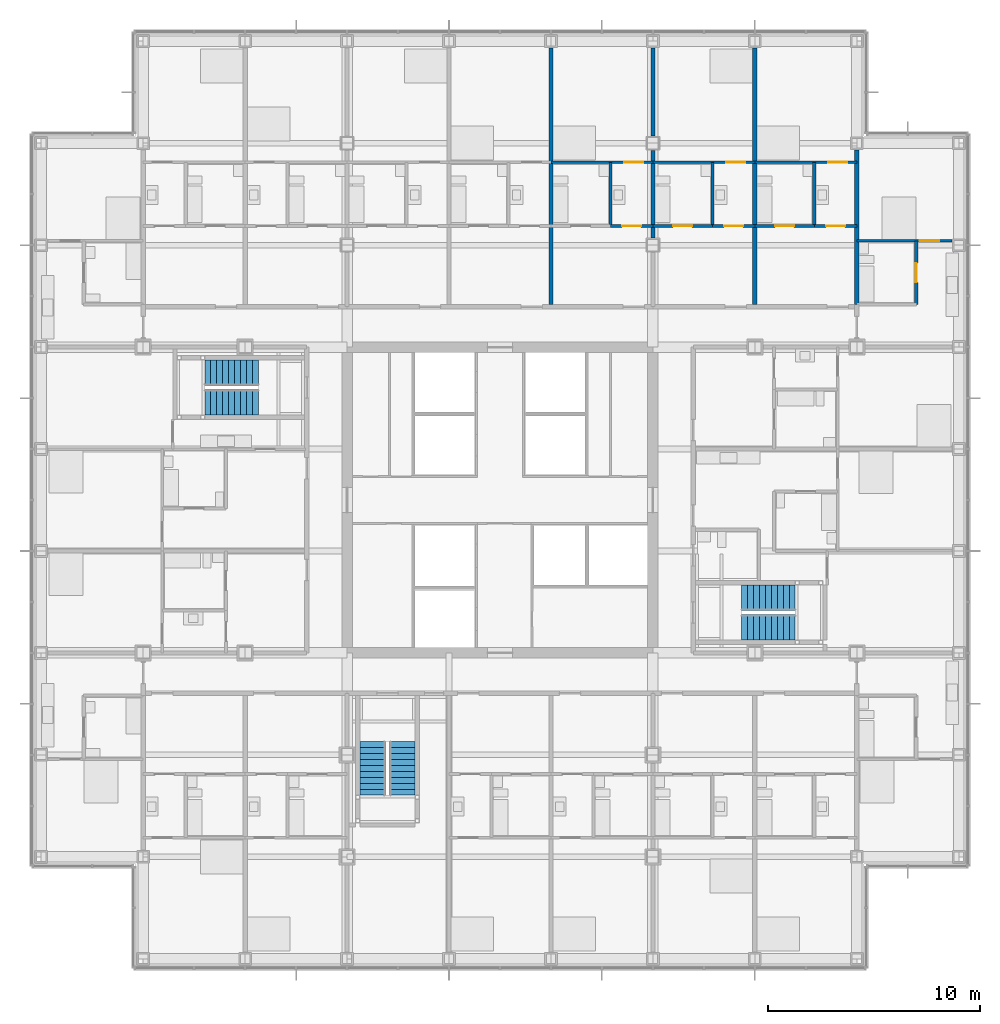
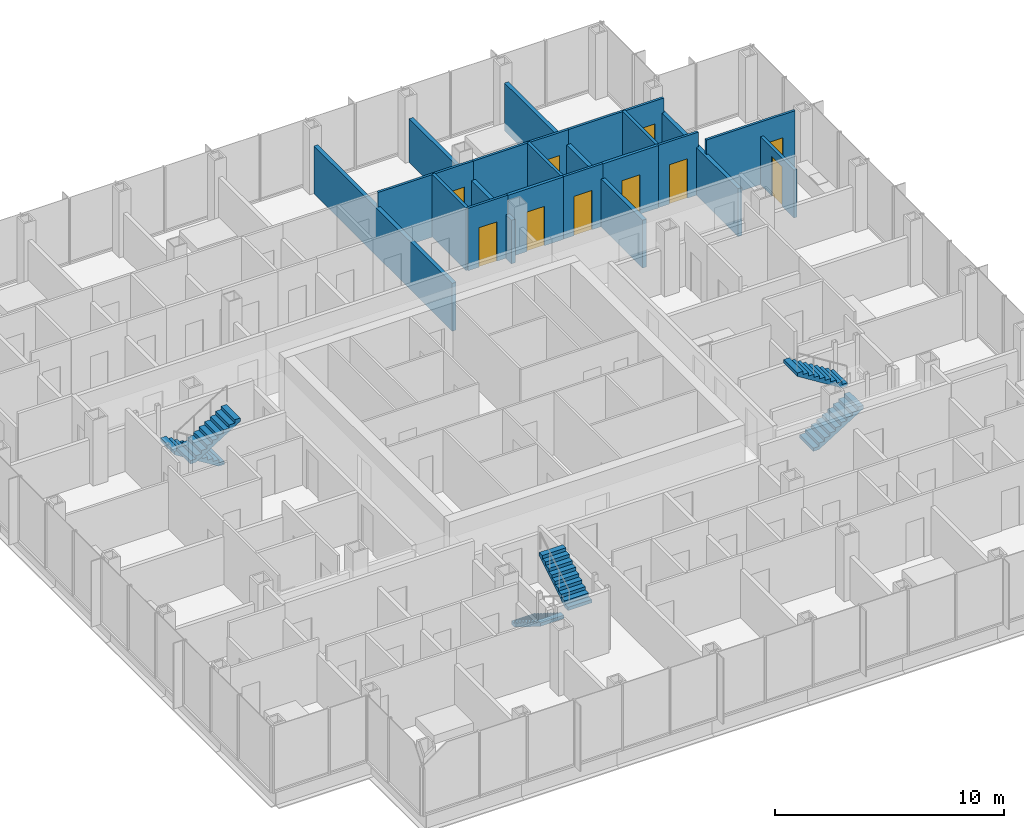
# One storey, part 19 of 22: 18 walls, 10 doors, 6 stair flights, 10 openings, 3 elements without a shape of their own.
"""IFC4 building model written with IfcOpenShell, lengths in metres."""

from ifc_helpers import new_model, si_unit, direction, frame, frame_2d, origin, place, context, subcontext, project, spatial, polyline, rectangle, outline, extrude, material, layer, layer_set, type_object, element, fill, aggregate, save


model = new_model("IFC4")

# Units and contexts
model_context = context("Model", 3, precision=1e-05, world=origin(), true_north=direction((0.0, 1.0)))
body_context = subcontext(model_context, "Body", "Model", "MODEL_VIEW")
ifc_project = project(units=[si_unit("LENGTHUNIT", "METRE"), si_unit("AREAUNIT", "SQUARE_METRE"), si_unit("VOLUMEUNIT", "CUBIC_METRE"), si_unit("PLANEANGLEUNIT", "RADIAN"), si_unit("MASSUNIT", "GRAM", prefix="KILO")], contexts=[model_context])

# Site, building, storey
site_placement = place(None, origin())
site = spatial("IfcSite", under=ifc_project, at=site_placement, CompositionType="ELEMENT")
building_placement = place(site_placement, origin())
building = spatial("IfcBuilding", under=site, at=building_placement, Name="Kvirike Care Tower", CompositionType="ELEMENT")
storey_placement = place(building_placement, frame((0.0, 0.0, 72.5)))
storey = spatial("IfcBuildingStorey", under=building, at=storey_placement, Name="L19", CompositionType="ELEMENT", Elevation=72.5)

# Wall
ifc_material_1 = material(Name="Moisture-resistant board partition", Category="gypsum")
ifc_layer_1 = layer(ifc_material_1, 0.14990234375)
ifc_layer_set_1 = layer_set([ifc_layer_1], Name="BATHROOM WALL 150")
wall_type_1 = type_object("IfcWallType", Name="BATHROOM WALL 150", PredefinedType="PARTITIONING", material=ifc_layer_set_1)
wall_1_placement = place(storey_placement, frame((26.800048828125, 51.89990234375, 0.0), z_axis=(0.0, 0.0, 1.0), x_axis=(0.0, -1.0, 0.0)))
element("IfcWall", 1, at=wall_1_placement, inside=storey, type_object=wall_type_1, Name="Bathroom Wall 150 L19", PredefinedType="PARTITIONING", context=body_context, shape_type="SweptSolid", body=[
    extrude(rectangle(XDim=3.0, YDim=0.14990234375, at=frame_2d((1.5, 0.0))), origin(), (0.0, 0.0, 1.0), 3.330078125),
])

# Wall, opening, door
wall_2_placement = place(storey_placement, frame((41.199951171875, 48.199951171875, 0.0), z_axis=(0.0, 0.0, 1.0), x_axis=(0.0, -1.0, 0.0)))
wall_2 = element("IfcWall", 2, at=wall_2_placement, inside=storey, type_object=wall_type_1, Name="Bathroom Wall 150 L19", PredefinedType="PARTITIONING", context=body_context, shape_type="SweptSolid", body=[
    extrude(rectangle(XDim=3.0, YDim=0.14990234375, at=frame_2d((1.5, 0.0))), origin(), (0.0, 0.0, 1.0), 2.550048828125),
])
opening_1_placement = place(wall_2_placement, frame((1.050048828125, 0.0, 0.0)))
opening_1 = element("IfcOpeningElement", 3, at=opening_1_placement, cuts=wall_2, Name="Opening 19-076", PredefinedType="OPENING", context=body_context, shape_type="SweptSolid", body=[
    extrude(rectangle(XDim=0.89990234375, YDim=2.10009765625, at=frame_2d((0.449951171875, 1.050048828125))), frame((0.0, 0.08544921875, 0.0), z_axis=(0.0, -1.0, 0.0), x_axis=(1.0, 0.0, 0.0)), (0.0, 0.0, 1.0), 0.1708984375),
])
ifc_material_2 = material(Name="Timber door set", Category="wood")
door_type_1 = type_object("IfcDoorType", Name="BATHROOM DOOR 900", OperationType="SINGLE_SWING_RIGHT", PredefinedType="DOOR", material=ifc_material_2)
door_1_placement = place(opening_1_placement, frame((0.89990234375, 0.0, 0.0), z_axis=(0.0, 0.0, 1.0), x_axis=(-1.0, 0.0, 0.0)))
door_1 = element("IfcDoor", 4, at=door_1_placement, inside=storey, type_object=door_type_1, Name="Bathroom door", OperationType="SINGLE_SWING_RIGHT", OverallHeight=2.10009765625, OverallWidth=0.89990234375, PredefinedType="DOOR", context=body_context, shape_type="SweptSolid", body=[
    extrude(rectangle(XDim=0.89990234375, YDim=2.10009765625, at=frame_2d((0.449951171875, 1.050048828125))), frame((0.0, 0.02197265625, 0.0), z_axis=(0.0, -1.0, 0.0), x_axis=(1.0, 0.0, 0.0)), (0.0, 0.0, 1.0), 0.0439453125),
])
fill(opening_1, door_1)

# Wall
wall_3_placement = place(storey_placement, frame((36.39990234375, 51.89990234375, 0.0), z_axis=(0.0, 0.0, 1.0), x_axis=(0.0, -1.0, 0.0)))
element("IfcWall", 5, at=wall_3_placement, inside=storey, type_object=wall_type_1, Name="Bathroom Wall 150 L19", PredefinedType="PARTITIONING", context=body_context, shape_type="SweptSolid", body=[
    extrude(rectangle(XDim=3.0, YDim=0.14990234375, at=frame_2d((1.5, 0.0))), origin(), (0.0, 0.0, 1.0), 3.330078125),
])

# Wall, opening, door
wall_4_placement = place(storey_placement, frame((36.39990234375, 48.89990234375, 0.0), z_axis=(0.0, 0.0, 1.0), x_axis=(-1.0, 0.0, 0.0)))
wall_4 = element("IfcWall", 6, at=wall_4_placement, inside=storey, type_object=wall_type_1, Name="Bathroom Wall 150 L19", PredefinedType="PARTITIONING", context=body_context, shape_type="SweptSolid", body=[
    extrude(rectangle(XDim=2.7998046875, YDim=0.14990234375, at=frame_2d((1.39990234375, 0.0))), origin(), (0.0, 0.0, 1.0), 3.330078125),
])
opening_2_placement = place(wall_4_placement, frame((0.949951171875, 0.0, 0.0)))
opening_2 = element("IfcOpeningElement", 7, at=opening_2_placement, cuts=wall_4, Name="Opening 19-078", PredefinedType="OPENING", context=body_context, shape_type="SweptSolid", body=[
    extrude(rectangle(XDim=0.89990234375, YDim=2.10009765625, at=frame_2d((0.449951171875, 1.050048828125))), frame((0.0, 0.08544921875, 0.0), z_axis=(0.0, -1.0, 0.0), x_axis=(1.0, 0.0, 0.0)), (0.0, 0.0, 1.0), 0.1708984375),
])
door_2_placement = place(opening_2_placement, frame((0.89990234375, 0.0, 0.0), z_axis=(0.0, 0.0, 1.0), x_axis=(-1.0, 0.0, 0.0)))
door_2 = element("IfcDoor", 8, at=door_2_placement, inside=storey, type_object=door_type_1, Name="Bathroom door", OperationType="SINGLE_SWING_RIGHT", OverallHeight=2.10009765625, OverallWidth=0.89990234375, PredefinedType="DOOR", context=body_context, shape_type="SweptSolid", body=[
    extrude(rectangle(XDim=0.89990234375, YDim=2.10009765625, at=frame_2d((0.449951171875, 1.050048828125))), frame((0.0, 0.02197265625, 0.0), z_axis=(0.0, -1.0, 0.0), x_axis=(1.0, 0.0, 0.0)), (0.0, 0.0, 1.0), 0.0439453125),
])
fill(opening_2, door_2)

# Wall
wall_5_placement = place(storey_placement, frame((31.60009765625, 51.89990234375, 0.0), z_axis=(0.0, 0.0, 1.0), x_axis=(0.0, -1.0, 0.0)))
element("IfcWall", 9, at=wall_5_placement, inside=storey, type_object=wall_type_1, Name="Bathroom Wall 150 L19", PredefinedType="PARTITIONING", context=body_context, shape_type="SweptSolid", body=[
    extrude(rectangle(XDim=3.0, YDim=0.14990234375, at=frame_2d((1.5, 0.0))), origin(), (0.0, 0.0, 1.0), 3.330078125),
])

# Wall, opening, door
wall_6_placement = place(storey_placement, frame((31.60009765625, 48.89990234375, 0.0), z_axis=(0.0, 0.0, 1.0), x_axis=(-1.0, 0.0, 0.0)))
wall_6 = element("IfcWall", 10, at=wall_6_placement, inside=storey, type_object=wall_type_1, Name="Bathroom Wall 150 L19", PredefinedType="PARTITIONING", context=body_context, shape_type="SweptSolid", body=[
    extrude(rectangle(XDim=2.800048828125, YDim=0.14990234375, at=frame_2d((1.39990234375, 0.0))), origin(), (0.0, 0.0, 1.0), 3.330078125),
])
opening_3_placement = place(wall_6_placement, frame((0.949951171875, 0.0, 0.0)))
opening_3 = element("IfcOpeningElement", 11, at=opening_3_placement, cuts=wall_6, Name="Opening 19-081", PredefinedType="OPENING", context=body_context, shape_type="SweptSolid", body=[
    extrude(rectangle(XDim=0.89990234375, YDim=2.10009765625, at=frame_2d((0.449951171875, 1.050048828125))), frame((0.0, 0.08544921875, 0.0), z_axis=(0.0, -1.0, 0.0), x_axis=(1.0, 0.0, 0.0)), (0.0, 0.0, 1.0), 0.1708984375),
])
door_3_placement = place(opening_3_placement, frame((0.89990234375, 0.0, 0.0), z_axis=(0.0, 0.0, 1.0), x_axis=(-1.0, 0.0, 0.0)))
door_3 = element("IfcDoor", 12, at=door_3_placement, inside=storey, type_object=door_type_1, Name="Bathroom door", OperationType="SINGLE_SWING_LEFT", OverallHeight=2.10009765625, OverallWidth=0.89990234375, PredefinedType="DOOR", context=body_context, shape_type="SweptSolid", body=[
    extrude(rectangle(XDim=0.89990234375, YDim=2.10009765625, at=frame_2d((0.449951171875, 1.050048828125))), frame((0.0, 0.02197265625, 0.0), z_axis=(0.0, -1.0, 0.0), x_axis=(1.0, 0.0, 0.0)), (0.0, 0.0, 1.0), 0.0439453125),
])
fill(opening_3, door_3)

ifc_material_3 = material(Name="Plasterboard partition", Category="gypsum")
ifc_layer_2 = layer(ifc_material_3, 0.1201171875)
ifc_layer_set_2 = layer_set([ifc_layer_2], Name="PARTITION 120")
wall_type_2 = type_object("IfcWallType", Name="PARTITION 120", PredefinedType="PARTITIONING", material=ifc_layer_set_2)
wall_7_placement = place(storey_placement, frame((28.800048828125, 48.89990234375, 0.0), z_axis=(0.0, 0.0, 1.0), x_axis=(-1.0, 0.0, 0.0)))
wall_7 = element("IfcWall", 13, at=wall_7_placement, inside=storey, type_object=wall_type_2, Name="Partition 120 L19", PredefinedType="PARTITIONING", context=body_context, shape_type="SweptSolid", body=[
    extrude(rectangle(XDim=2.0, YDim=0.1201171875, at=frame_2d((1.0, 0.0))), origin(), (0.0, 0.0, 1.0), 3.330078125),
])
opening_4_placement = place(wall_7_placement, frame((0.550048828125, 0.0, 0.0)))
opening_4 = element("IfcOpeningElement", 14, at=opening_4_placement, cuts=wall_7, Name="Opening 19-044", PredefinedType="OPENING", context=body_context, shape_type="SweptSolid", body=[
    extrude(rectangle(XDim=0.89990234375, YDim=2.10009765625, at=frame_2d((0.449951171875, 1.050048828125))), frame((0.0, 0.070556640625, 0.0), z_axis=(0.0, -1.0, 0.0), x_axis=(1.0, 0.0, 0.0)), (0.0, 0.0, 1.0), 0.14111328125),
])
ifc_material_4 = material(Name="Timber door set", Category="wood")
door_type_2 = type_object("IfcDoorType", Name="INTERNAL DOOR 900", OperationType="SINGLE_SWING_LEFT", PredefinedType="DOOR", material=ifc_material_4)
door_4_placement = place(opening_4_placement, frame((0.89990234375, 0.0, 0.0), z_axis=(0.0, 0.0, 1.0), x_axis=(-1.0, 0.0, 0.0)))
door_4 = element("IfcDoor", 15, at=door_4_placement, inside=storey, type_object=door_type_2, Name="Kitchen door", OperationType="SINGLE_SWING_RIGHT", OverallHeight=2.10009765625, OverallWidth=0.89990234375, PredefinedType="DOOR", context=body_context, shape_type="SweptSolid", body=[
    extrude(rectangle(XDim=0.89990234375, YDim=2.10009765625, at=frame_2d((0.449951171875, 1.050048828125))), frame((0.0, 0.02197265625, 0.0), z_axis=(0.0, -1.0, 0.0), x_axis=(1.0, 0.0, 0.0)), (0.0, 0.0, 1.0), 0.0439453125),
])
fill(opening_4, door_4)

wall_8_placement = place(storey_placement, frame((28.800048828125, 51.89990234375, 0.0), z_axis=(0.0, 0.0, 1.0), x_axis=(-1.0, 0.0, 0.0)))
wall_8 = element("IfcWall", 16, at=wall_8_placement, inside=storey, type_object=wall_type_2, Name="Partition 120 L19", PredefinedType="PARTITIONING", context=body_context, shape_type="SweptSolid", body=[
    extrude(rectangle(XDim=4.800048828125, YDim=0.1201171875, at=frame_2d((2.39990234375, 0.0))), origin(), (0.0, 0.0, 1.0), 3.330078125),
])
opening_5_placement = place(wall_8_placement, frame((0.449951171875, 0.0, 0.0)))
opening_5 = element("IfcOpeningElement", 17, at=opening_5_placement, cuts=wall_8, Name="Opening 19-045", PredefinedType="OPENING", context=body_context, shape_type="SweptSolid", body=[
    extrude(rectangle(XDim=0.89990234375, YDim=2.10009765625, at=frame_2d((0.449951171875, 1.050048828125))), frame((0.0, 0.070556640625, 0.0), z_axis=(0.0, -1.0, 0.0), x_axis=(1.0, 0.0, 0.0)), (0.0, 0.0, 1.0), 0.14111328125),
])
door_5_placement = place(opening_5_placement, origin())
door_5 = element("IfcDoor", 18, at=door_5_placement, inside=storey, type_object=door_type_2, Name="Studio apartment living room door", OperationType="SINGLE_SWING_RIGHT", OverallHeight=2.10009765625, OverallWidth=0.89990234375, PredefinedType="DOOR", context=body_context, shape_type="SweptSolid", body=[
    extrude(rectangle(XDim=0.89990234375, YDim=2.10009765625, at=frame_2d((0.449951171875, 1.050048828125))), frame((0.0, 0.02197265625, 0.0), z_axis=(0.0, -1.0, 0.0), x_axis=(1.0, 0.0, 0.0)), (0.0, 0.0, 1.0), 0.0439453125),
])
fill(opening_5, door_5)

wall_9_placement = place(storey_placement, frame((42.8798828125, 48.199951171875, 0.0), z_axis=(0.0, 0.0, 1.0), x_axis=(-1.0, 0.0, 0.0)))
wall_9 = element("IfcWall", 19, at=wall_9_placement, inside=storey, type_object=wall_type_2, Name="Partition 120 L19", PredefinedType="PARTITIONING", context=body_context, shape_type="SweptSolid", body=[
    extrude(rectangle(XDim=4.47998046875, YDim=0.1201171875, at=frame_2d((2.239990234375, 0.0))), origin(), (0.0, 0.0, 1.0), 3.330078125),
])
opening_6_placement = place(wall_9_placement, frame((0.60498046875, 0.0, 0.0)))
opening_6 = element("IfcOpeningElement", 20, at=opening_6_placement, cuts=wall_9, Name="Opening 19-077", PredefinedType="OPENING", context=body_context, shape_type="SweptSolid", body=[
    extrude(rectangle(XDim=0.89990234375, YDim=2.10009765625, at=frame_2d((0.449951171875, 1.050048828125))), frame((0.0, 0.070556640625, 0.0), z_axis=(0.0, -1.0, 0.0), x_axis=(1.0, 0.0, 0.0)), (0.0, 0.0, 1.0), 0.14111328125),
])
door_6_placement = place(opening_6_placement, origin())
door_6 = element("IfcDoor", 21, at=door_6_placement, inside=storey, type_object=door_type_2, Name="Studio apartment living room door", OperationType="SINGLE_SWING_LEFT", OverallHeight=2.10009765625, OverallWidth=0.89990234375, PredefinedType="DOOR", context=body_context, shape_type="SweptSolid", body=[
    extrude(rectangle(XDim=0.89990234375, YDim=2.10009765625, at=frame_2d((0.449951171875, 1.050048828125))), frame((0.0, 0.02197265625, 0.0), z_axis=(0.0, -1.0, 0.0), x_axis=(1.0, 0.0, 0.0)), (0.0, 0.0, 1.0), 0.0439453125),
])
fill(opening_6, door_6)

wall_10_placement = place(storey_placement, frame((38.39990234375, 48.89990234375, 0.0), z_axis=(0.0, 0.0, 1.0), x_axis=(-1.0, 0.0, 0.0)))
wall_10 = element("IfcWall", 22, at=wall_10_placement, inside=storey, type_object=wall_type_2, Name="Partition 120 L19", PredefinedType="PARTITIONING", context=body_context, shape_type="SweptSolid", body=[
    extrude(rectangle(XDim=2.0, YDim=0.1201171875, at=frame_2d((1.0, 0.0))), origin(), (0.0, 0.0, 1.0), 3.330078125),
])
opening_7_placement = place(wall_10_placement, frame((0.550048828125, 0.0, 0.0)))
opening_7 = element("IfcOpeningElement", 23, at=opening_7_placement, cuts=wall_10, Name="Opening 19-079", PredefinedType="OPENING", context=body_context, shape_type="SweptSolid", body=[
    extrude(rectangle(XDim=0.89990234375, YDim=2.10009765625, at=frame_2d((0.449951171875, 1.050048828125))), frame((0.0, 0.070556640625, 0.0), z_axis=(0.0, -1.0, 0.0), x_axis=(1.0, 0.0, 0.0)), (0.0, 0.0, 1.0), 0.14111328125),
])
door_7_placement = place(opening_7_placement, frame((0.89990234375, 0.0, 0.0), z_axis=(0.0, 0.0, 1.0), x_axis=(-1.0, 0.0, 0.0)))
door_7 = element("IfcDoor", 24, at=door_7_placement, inside=storey, type_object=door_type_2, Name="Kitchen door", OperationType="SINGLE_SWING_LEFT", OverallHeight=2.10009765625, OverallWidth=0.89990234375, PredefinedType="DOOR", context=body_context, shape_type="SweptSolid", body=[
    extrude(rectangle(XDim=0.89990234375, YDim=2.10009765625, at=frame_2d((0.449951171875, 1.050048828125))), frame((0.0, 0.02197265625, 0.0), z_axis=(0.0, -1.0, 0.0), x_axis=(1.0, 0.0, 0.0)), (0.0, 0.0, 1.0), 0.0439453125),
])
fill(opening_7, door_7)

wall_11_placement = place(storey_placement, frame((38.39990234375, 51.89990234375, 0.0), z_axis=(0.0, 0.0, 1.0), x_axis=(-1.0, 0.0, 0.0)))
wall_11 = element("IfcWall", 25, at=wall_11_placement, inside=storey, type_object=wall_type_2, Name="Partition 120 L19", PredefinedType="PARTITIONING", context=body_context, shape_type="SweptSolid", body=[
    extrude(rectangle(XDim=4.7998046875, YDim=0.1201171875, at=frame_2d((2.39990234375, 0.0))), origin(), (0.0, 0.0, 1.0), 3.330078125),
])
opening_8_placement = place(wall_11_placement, frame((0.449951171875, 0.0, 0.0)))
opening_8 = element("IfcOpeningElement", 26, at=opening_8_placement, cuts=wall_11, Name="Opening 19-080", PredefinedType="OPENING", context=body_context, shape_type="SweptSolid", body=[
    extrude(rectangle(XDim=0.89990234375, YDim=2.10009765625, at=frame_2d((0.449951171875, 1.050048828125))), frame((0.0, 0.070556640625, 0.0), z_axis=(0.0, -1.0, 0.0), x_axis=(1.0, 0.0, 0.0)), (0.0, 0.0, 1.0), 0.14111328125),
])
door_8_placement = place(opening_8_placement, origin())
door_8 = element("IfcDoor", 27, at=door_8_placement, inside=storey, type_object=door_type_2, Name="Studio apartment living room door", OperationType="SINGLE_SWING_RIGHT", OverallHeight=2.10009765625, OverallWidth=0.89990234375, PredefinedType="DOOR", context=body_context, shape_type="SweptSolid", body=[
    extrude(rectangle(XDim=0.89990234375, YDim=2.10009765625, at=frame_2d((0.449951171875, 1.050048828125))), frame((0.0, 0.02197265625, 0.0), z_axis=(0.0, -1.0, 0.0), x_axis=(1.0, 0.0, 0.0)), (0.0, 0.0, 1.0), 0.0439453125),
])
fill(opening_8, door_8)

wall_12_placement = place(storey_placement, frame((33.60009765625, 48.89990234375, 0.0), z_axis=(0.0, 0.0, 1.0), x_axis=(-1.0, 0.0, 0.0)))
wall_12 = element("IfcWall", 28, at=wall_12_placement, inside=storey, type_object=wall_type_2, Name="Partition 120 L19", PredefinedType="PARTITIONING", context=body_context, shape_type="SweptSolid", body=[
    extrude(rectangle(XDim=2.0, YDim=0.1201171875, at=frame_2d((1.0, 0.0))), origin(), (0.0, 0.0, 1.0), 3.330078125),
])
opening_9_placement = place(wall_12_placement, frame((0.550048828125, 0.0, 0.0)))
opening_9 = element("IfcOpeningElement", 29, at=opening_9_placement, cuts=wall_12, Name="Opening 19-082", PredefinedType="OPENING", context=body_context, shape_type="SweptSolid", body=[
    extrude(rectangle(XDim=0.89990234375, YDim=2.10009765625, at=frame_2d((0.449951171875, 1.050048828125))), frame((0.0, 0.070556640625, 0.0), z_axis=(0.0, -1.0, 0.0), x_axis=(1.0, 0.0, 0.0)), (0.0, 0.0, 1.0), 0.14111328125),
])
door_9_placement = place(opening_9_placement, frame((0.89990234375, 0.0, 0.0), z_axis=(0.0, 0.0, 1.0), x_axis=(-1.0, 0.0, 0.0)))
door_9 = element("IfcDoor", 30, at=door_9_placement, inside=storey, type_object=door_type_2, Name="Kitchen door", OperationType="SINGLE_SWING_LEFT", OverallHeight=2.10009765625, OverallWidth=0.89990234375, PredefinedType="DOOR", context=body_context, shape_type="SweptSolid", body=[
    extrude(rectangle(XDim=0.89990234375, YDim=2.10009765625, at=frame_2d((0.449951171875, 1.050048828125))), frame((0.0, 0.02197265625, 0.0), z_axis=(0.0, -1.0, 0.0), x_axis=(1.0, 0.0, 0.0)), (0.0, 0.0, 1.0), 0.0439453125),
])
fill(opening_9, door_9)

wall_13_placement = place(storey_placement, frame((33.60009765625, 51.89990234375, 0.0), z_axis=(0.0, 0.0, 1.0), x_axis=(-1.0, 0.0, 0.0)))
wall_13 = element("IfcWall", 31, at=wall_13_placement, inside=storey, type_object=wall_type_2, Name="Partition 120 L19", PredefinedType="PARTITIONING", context=body_context, shape_type="SweptSolid", body=[
    extrude(rectangle(XDim=4.800048828125, YDim=0.1201171875, at=frame_2d((2.39990234375, 0.0))), origin(), (0.0, 0.0, 1.0), 3.330078125),
])
opening_10_placement = place(wall_13_placement, frame((0.449951171875, 0.0, 0.0)))
opening_10 = element("IfcOpeningElement", 32, at=opening_10_placement, cuts=wall_13, Name="Opening 19-083", PredefinedType="OPENING", context=body_context, shape_type="SweptSolid", body=[
    extrude(rectangle(XDim=0.89990234375, YDim=2.10009765625, at=frame_2d((0.449951171875, 1.050048828125))), frame((0.0, 0.070556640625, 0.0), z_axis=(0.0, -1.0, 0.0), x_axis=(1.0, 0.0, 0.0)), (0.0, 0.0, 1.0), 0.14111328125),
])
door_10_placement = place(opening_10_placement, origin())
door_10 = element("IfcDoor", 33, at=door_10_placement, inside=storey, type_object=door_type_2, Name="Studio apartment living room door", OperationType="SINGLE_SWING_RIGHT", OverallHeight=2.10009765625, OverallWidth=0.89990234375, PredefinedType="DOOR", context=body_context, shape_type="SweptSolid", body=[
    extrude(rectangle(XDim=0.89990234375, YDim=2.10009765625, at=frame_2d((0.449951171875, 1.050048828125))), frame((0.0, 0.02197265625, 0.0), z_axis=(0.0, -1.0, 0.0), x_axis=(1.0, 0.0, 0.0)), (0.0, 0.0, 1.0), 0.0439453125),
])
fill(opening_10, door_10)

# Walls
ifc_material_5 = material(Name="Plasterboard party wall", Category="gypsum")
ifc_layer_3 = layer(ifc_material_5, 0.199951171875)
ifc_layer_set_3 = layer_set([ifc_layer_3], Name="PARTY WALL 200")
wall_type_3 = type_object("IfcWallType", Name="PARTY WALL 200", PredefinedType="PARTITIONING", material=ifc_layer_set_3)
wall_14_placement = place(storey_placement, frame((24.0, 57.280029296875, 0.0), z_axis=(0.0, 0.0, 1.0), x_axis=(0.0, -1.0, 0.0)))
element("IfcWall", 34, at=wall_14_placement, inside=storey, type_object=wall_type_3, Name="Party Wall 200 L19", PredefinedType="PARTITIONING", context=body_context, shape_type="SweptSolid", body=[
    extrude(rectangle(XDim=12.080078125, YDim=0.199951171875, at=frame_2d((6.0400390625, 0.0))), origin(), (0.0, 0.0, 1.0), 2.550048828125),
])
wall_15_placement = place(storey_placement, frame((38.39990234375, 52.47998046875, 0.0), z_axis=(0.0, 0.0, 1.0), x_axis=(0.0, -1.0, 0.0)))
element("IfcWall", 35, at=wall_15_placement, inside=storey, type_object=wall_type_3, Name="Party Wall 200 L19", PredefinedType="PARTITIONING", context=body_context, shape_type="SweptSolid", body=[
    extrude(rectangle(XDim=7.280029296875, YDim=0.199951171875, at=frame_2d((3.64013671875, 0.0))), origin(), (0.0, 0.0, 1.0), 2.550048828125),
])
wall_16_placement = place(storey_placement, frame((33.60009765625, 57.280029296875, 0.0), z_axis=(0.0, 0.0, 1.0), x_axis=(0.0, -1.0, 0.0)))
element("IfcWall", 36, at=wall_16_placement, inside=storey, type_object=wall_type_3, Name="Party Wall 200 L19", PredefinedType="PARTITIONING", context=body_context, shape_type="SweptSolid", body=[
    extrude(rectangle(XDim=12.080078125, YDim=0.199951171875, at=frame_2d((6.0400390625, 0.0))), origin(), (0.0, 0.0, 1.0), 2.550048828125),
])
wall_17_placement = place(storey_placement, frame((28.800048828125, 48.344970703125, 0.0), z_axis=(0.0, 0.0, 1.0), x_axis=(0.0, 1.0, 0.0)))
element("IfcWall", 37, at=wall_17_placement, inside=storey, type_object=wall_type_3, Name="Party Wall 200 L19", PredefinedType="PARTITIONING", context=body_context, shape_type="SweptSolid", body=[
    extrude(rectangle(XDim=4.110107421875, YDim=0.199951171875, at=frame_2d((2.05517578125, 0.0))), origin(), (0.0, 0.0, 1.0), 2.320068359375),
])
wall_18_placement = place(storey_placement, frame((28.800048828125, 53.14501953125, 0.0), z_axis=(0.0, 0.0, 1.0), x_axis=(0.0, 1.0, 0.0)))
element("IfcWall", 38, at=wall_18_placement, inside=storey, type_object=wall_type_3, Name="Party Wall 200 L19", PredefinedType="PARTITIONING", context=body_context, shape_type="SweptSolid", body=[
    extrude(rectangle(XDim=4.135009765625, YDim=0.199951171875, at=frame_2d((2.0673828125, 0.0))), origin(), (0.0, 0.0, 1.0), 2.320068359375),
])

# Stair, stair flights
ifc_material_6 = material(Name="Concrete C35/45", Category="concrete")
stair_type = type_object("IfcStairType", Name="STAIR 20 RISERS", PredefinedType="HALF_TURN_STAIR", material=ifc_material_6)
stair_1_placement = place(storey_placement, origin())
stair_1 = element("IfcStair", 39, at=stair_1_placement, inside=storey, type_object=stair_type, Name="Stair 1 L19", PredefinedType="HALF_TURN_STAIR")
ifc_material_7 = material(Name="Concrete C35/45", Category="concrete")
stair_flight_type = type_object("IfcStairFlightType", Name="FLIGHT 10 RISERS", PredefinedType="STRAIGHT", material=ifc_material_7)
stair_flight_1_placement = place(storey_placement, frame((10.219970703125, 42.0, 0.0), z_axis=(0.0, 0.0, 1.0), x_axis=(-1.0, 0.0, 0.0)))
stair_flight_1 = element("IfcStairFlight", 40, at=stair_flight_1_placement, type_object=stair_flight_type, Name="Stair S1 flight 1 L19-L20", NumberOfRisers=10, NumberOfTreads=9, PredefinedType="STRAIGHT", RiserHeight=0.175, TreadLength=0.28, context=body_context, shape_type="SweptSolid", body=[
    extrude(outline(polyline([(0.0, 0.0), (0.0, 0.175048828125), (0.280029296875, 0.175048828125), (0.280029296875, 0.35009765625), (0.56005859375, 0.35009765625), (0.56005859375, 0.52490234375), (0.840087890625, 0.52490234375), (0.840087890625, 0.699951171875), (1.1201171875, 0.699951171875), (1.1201171875, 0.875), (1.39990234375, 0.875), (1.39990234375, 1.050048828125), (1.679931640625, 1.050048828125), (1.679931640625, 1.22509765625), (1.9599609375, 1.22509765625), (1.9599609375, 1.39990234375), (2.239990234375, 1.39990234375), (2.239990234375, 1.574951171875), (2.52001953125, 1.574951171875), (2.52001953125, 1.75), (2.52001953125, 1.398193359375), (0.28271484375, 0.0), (0.0, 0.0)])), frame((0.0, 0.60009765625, 0.0), z_axis=(0.0, -1.0, 0.0), x_axis=(1.0, 0.0, 0.0)), (0.0, 0.0, 1.0), 1.199951171875),
])
stair_flight_2_placement = place(storey_placement, frame((7.699951171875, 40.60009765625, 1.75), z_axis=(0.0, 0.0, 1.0), x_axis=(1.0, 0.0, 0.0)))
stair_flight_2 = element("IfcStairFlight", 41, at=stair_flight_2_placement, type_object=stair_flight_type, Name="Stair S1 flight 2 L19-L20", NumberOfRisers=10, NumberOfTreads=9, PredefinedType="STRAIGHT", RiserHeight=0.175, TreadLength=0.28, context=body_context, shape_type="SweptSolid", body=[
    extrude(outline(polyline([(0.0, 0.0), (0.0, 0.175048828125), (0.280029296875, 0.175048828125), (0.280029296875, 0.35009765625), (0.56005859375, 0.35009765625), (0.56005859375, 0.52490234375), (0.840087890625, 0.52490234375), (0.840087890625, 0.699951171875), (1.1201171875, 0.699951171875), (1.1201171875, 0.875), (1.39990234375, 0.875), (1.39990234375, 1.050048828125), (1.679931640625, 1.050048828125), (1.679931640625, 1.22509765625), (1.9599609375, 1.22509765625), (1.9599609375, 1.39990234375), (2.239990234375, 1.39990234375), (2.239990234375, 1.574951171875), (2.52001953125, 1.574951171875), (2.52001953125, 1.75), (2.52001953125, 1.398193359375), (0.28271484375, 0.0), (0.0, 0.0)])), frame((0.0, 0.60009765625, 0.0), z_axis=(0.0, -1.0, 0.0), x_axis=(1.0, 0.0, 0.0)), (0.0, 0.0, 1.0), 1.199951171875),
])
aggregate(stair_1, [stair_flight_1, stair_flight_2])

stair_2_placement = place(storey_placement, origin())
stair_2 = element("IfcStair", 42, at=stair_2_placement, inside=storey, type_object=stair_type, Name="Stair 2 L19", PredefinedType="HALF_TURN_STAIR")
stair_flight_3_placement = place(storey_placement, frame((32.97998046875, 30.0, 0.0), z_axis=(0.0, 0.0, 1.0), x_axis=(1.0, 0.0, 0.0)))
stair_flight_3 = element("IfcStairFlight", 43, at=stair_flight_3_placement, type_object=stair_flight_type, Name="Stair S2 flight 1 L19-L20", NumberOfRisers=10, NumberOfTreads=9, PredefinedType="STRAIGHT", RiserHeight=0.175, TreadLength=0.28, context=body_context, shape_type="SweptSolid", body=[
    extrude(outline(polyline([(0.0, 0.0), (0.0, 0.175048828125), (0.280029296875, 0.175048828125), (0.280029296875, 0.35009765625), (0.56005859375, 0.35009765625), (0.56005859375, 0.52490234375), (0.840087890625, 0.52490234375), (0.840087890625, 0.699951171875), (1.1201171875, 0.699951171875), (1.1201171875, 0.875), (1.39990234375, 0.875), (1.39990234375, 1.050048828125), (1.679931640625, 1.050048828125), (1.679931640625, 1.22509765625), (1.9599609375, 1.22509765625), (1.9599609375, 1.39990234375), (2.239990234375, 1.39990234375), (2.239990234375, 1.574951171875), (2.52001953125, 1.574951171875), (2.52001953125, 1.75), (2.52001953125, 1.398193359375), (0.28271484375, 0.0), (0.0, 0.0)])), frame((0.0, 0.60009765625, 0.0), z_axis=(0.0, -1.0, 0.0), x_axis=(1.0, 0.0, 0.0)), (0.0, 0.0, 1.0), 1.199951171875),
])
stair_flight_4_placement = place(storey_placement, frame((35.5, 31.39990234375, 1.75), z_axis=(0.0, 0.0, 1.0), x_axis=(-1.0, 0.0, 0.0)))
stair_flight_4 = element("IfcStairFlight", 44, at=stair_flight_4_placement, type_object=stair_flight_type, Name="Stair S2 flight 2 L19-L20", NumberOfRisers=10, NumberOfTreads=9, PredefinedType="STRAIGHT", RiserHeight=0.175, TreadLength=0.28, context=body_context, shape_type="SweptSolid", body=[
    extrude(outline(polyline([(0.0, 0.0), (0.0, 0.175048828125), (0.280029296875, 0.175048828125), (0.280029296875, 0.35009765625), (0.56005859375, 0.35009765625), (0.56005859375, 0.52490234375), (0.840087890625, 0.52490234375), (0.840087890625, 0.699951171875), (1.1201171875, 0.699951171875), (1.1201171875, 0.875), (1.39990234375, 0.875), (1.39990234375, 1.050048828125), (1.679931640625, 1.050048828125), (1.679931640625, 1.22509765625), (1.9599609375, 1.22509765625), (1.9599609375, 1.39990234375), (2.239990234375, 1.39990234375), (2.239990234375, 1.574951171875), (2.52001953125, 1.574951171875), (2.52001953125, 1.75), (2.52001953125, 1.398193359375), (0.28271484375, 0.0), (0.0, 0.0)])), frame((0.0, 0.60009765625, 0.0), z_axis=(0.0, -1.0, 0.0), x_axis=(1.0, 0.0, 0.0)), (0.0, 0.0, 1.0), 1.199951171875),
])
aggregate(stair_2, [stair_flight_3, stair_flight_4])

stair_3_placement = place(storey_placement, origin())
stair_3 = element("IfcStair", 45, at=stair_3_placement, inside=storey, type_object=stair_type, Name="Stair 5 L19", PredefinedType="HALF_TURN_STAIR")
stair_flight_5_placement = place(storey_placement, frame((15.60009765625, 24.6201171875, 0.0), z_axis=(0.0, 0.0, 1.0), x_axis=(0.0, -1.0, 0.0)))
stair_flight_5 = element("IfcStairFlight", 46, at=stair_flight_5_placement, type_object=stair_flight_type, Name="Stair S5 flight 1 L19-L20", NumberOfRisers=10, NumberOfTreads=9, PredefinedType="STRAIGHT", RiserHeight=0.175, TreadLength=0.28, context=body_context, shape_type="SweptSolid", body=[
    extrude(outline(polyline([(0.0, 0.0), (0.0, 0.175048828125), (0.280029296875, 0.175048828125), (0.280029296875, 0.35009765625), (0.56005859375, 0.35009765625), (0.56005859375, 0.52490234375), (0.840087890625, 0.52490234375), (0.840087890625, 0.699951171875), (1.1201171875, 0.699951171875), (1.1201171875, 0.875), (1.39990234375, 0.875), (1.39990234375, 1.050048828125), (1.679931640625, 1.050048828125), (1.679931640625, 1.22509765625), (1.9599609375, 1.22509765625), (1.9599609375, 1.39990234375), (2.239990234375, 1.39990234375), (2.239990234375, 1.574951171875), (2.52001953125, 1.574951171875), (2.52001953125, 1.75), (2.52001953125, 1.398193359375), (0.28271484375, 0.0), (0.0, 0.0)])), frame((0.0, 0.60009765625, 0.0), z_axis=(0.0, -1.0, 0.0), x_axis=(1.0, 0.0, 0.0)), (0.0, 0.0, 1.0), 1.199951171875),
])
stair_flight_6_placement = place(storey_placement, frame((17.0, 22.10009765625, 1.75), z_axis=(0.0, 0.0, 1.0), x_axis=(0.0, 1.0, 0.0)))
stair_flight_6 = element("IfcStairFlight", 47, at=stair_flight_6_placement, type_object=stair_flight_type, Name="Stair S5 flight 2 L19-L20", NumberOfRisers=10, NumberOfTreads=9, PredefinedType="STRAIGHT", RiserHeight=0.175, TreadLength=0.28, context=body_context, shape_type="SweptSolid", body=[
    extrude(outline(polyline([(0.0, 0.0), (0.0, 0.175048828125), (0.280029296875, 0.175048828125), (0.280029296875, 0.35009765625), (0.56005859375, 0.35009765625), (0.56005859375, 0.52490234375), (0.840087890625, 0.52490234375), (0.840087890625, 0.699951171875), (1.1201171875, 0.699951171875), (1.1201171875, 0.875), (1.39990234375, 0.875), (1.39990234375, 1.050048828125), (1.679931640625, 1.050048828125), (1.679931640625, 1.22509765625), (1.9599609375, 1.22509765625), (1.9599609375, 1.39990234375), (2.239990234375, 1.39990234375), (2.239990234375, 1.574951171875), (2.52001953125, 1.574951171875), (2.52001953125, 1.75), (2.52001953125, 1.398193359375), (0.28271484375, 0.0), (0.0, 0.0)])), frame((0.0, 0.60009765625, 0.0), z_axis=(0.0, -1.0, 0.0), x_axis=(1.0, 0.0, 0.0)), (0.0, 0.0, 1.0), 1.199951171875),
])
aggregate(stair_3, [stair_flight_5, stair_flight_6])

save(model, "model.ifc")
